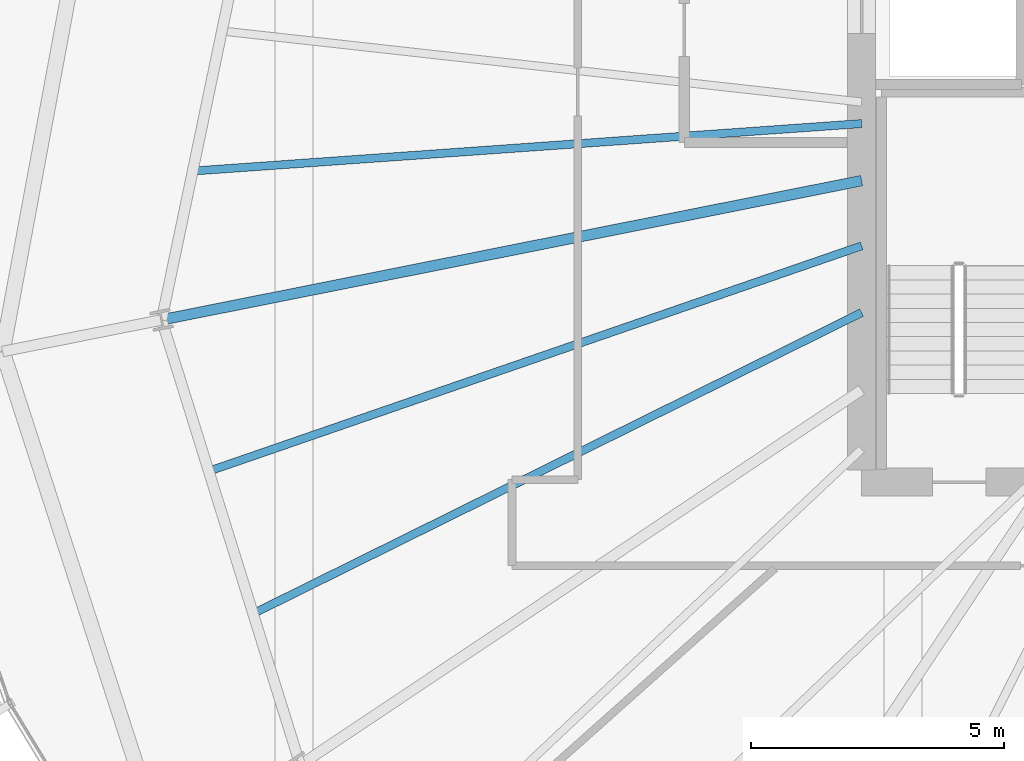
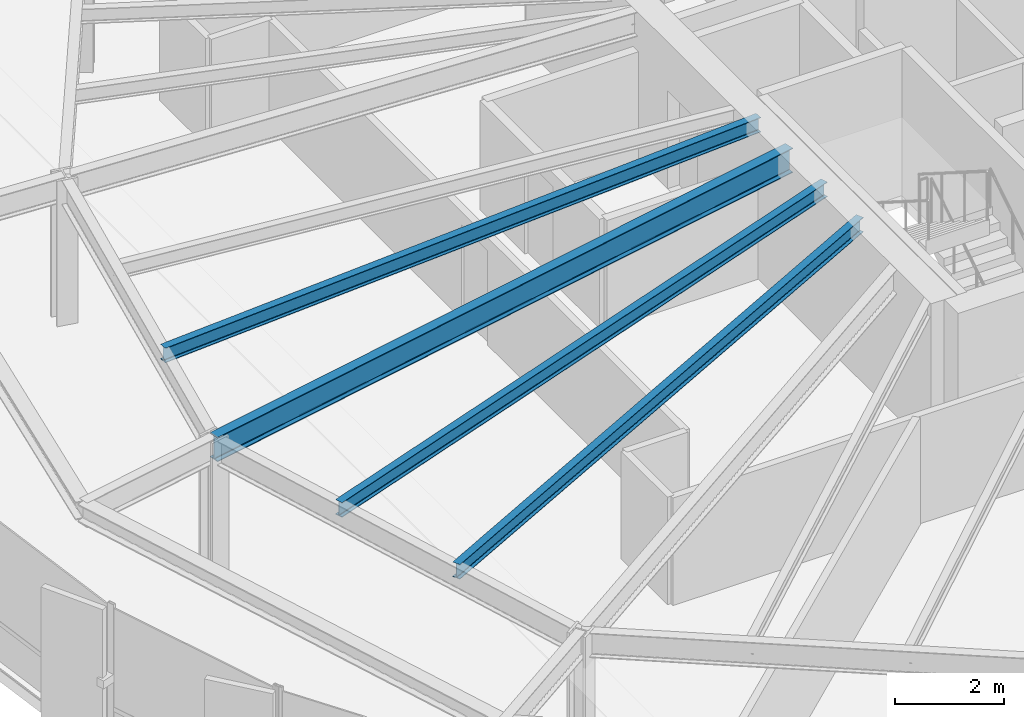
# One storey, part 9 of 35: 4 beams.
"""IFC4 building model written with IfcOpenShell, lengths in metres."""

from ifc_helpers import new_model, si_unit, direction, frame, origin, origin_2d, place, context, subcontext, project, spatial, i_section, extrude, source, transform, mapped, material, material_profile, profile_set, type_object, element, save


model = new_model("IFC4")

# Units and contexts
model_context = context("Model", 3, precision=1e-05, world=origin(), true_north=direction((0.0, 1.0)))
body_context = subcontext(model_context, "Body", "Model", "MODEL_VIEW")
ifc_project = project(units=[si_unit("LENGTHUNIT", "METRE"), si_unit("AREAUNIT", "SQUARE_METRE"), si_unit("VOLUMEUNIT", "CUBIC_METRE"), si_unit("PLANEANGLEUNIT", "RADIAN"), si_unit("MASSUNIT", "GRAM", prefix="KILO"), si_unit("THERMODYNAMICTEMPERATUREUNIT", "KELVIN")], contexts=[model_context])

# Site, building, storey
site_placement = place(None, origin())
site = spatial("IfcSite", under=ifc_project, at=site_placement, CompositionType="ELEMENT")
building_placement = place(site_placement, origin())
building = spatial("IfcBuilding", under=site, at=building_placement, Name="Kethvar Cultural Tower", CompositionType="ELEMENT")
storey_placement = place(building_placement, frame((0.0, 0.0, 135.89990234375)))
storey = spatial("IfcBuildingStorey", under=building, at=storey_placement, Name="L34", CompositionType="ELEMENT", Elevation=135.89990234375)

# Beams
ifc_material = material(Name="Steel S355J2", Category="steel")
ifc_material_profile_1 = material_profile(ifc_material, i_section(OverallWidth=0.2099609375, OverallDepth=0.550048828125, WebThickness=0.010986328125, FlangeThickness=0.01708984375, FilletRadius=0.02392578125, at=origin_2d()), Name="Steel S355J2 — IPE550")
ifc_profile_set_1 = profile_set([ifc_material_profile_1], Name="Steel S355J2 — IPE550")
beam_type_1 = type_object("IfcBeamType", Name="BM-IPE550", PredefinedType="BEAM", material=ifc_profile_set_1)
shared_shape_1 = source(origin(), body_context, "Body", "SweptSolid", [
    extrude(i_section(OverallWidth=0.2099609375, OverallDepth=0.550048828125, WebThickness=0.010986328125, FlangeThickness=0.01708984375, FilletRadius=0.02392578125, at=origin_2d()), origin(), (0.0, 0.0, 1.0), 14.085205078125),
])
beam_1_placement = place(storey_placement, frame((38.0, 26.049560546875, 3.023193359375), z_axis=(-0.98078679373, -0.195082713854, 0.0), x_axis=(0.195082713854, -0.98078679373, 0.0)))
element("IfcBeam", 1, at=beam_1_placement, inside=storey, type_object=beam_type_1, Name="L34 Primary Radial Beam RB-09", PredefinedType="BEAM", context=body_context, shape_type="MappedRepresentation", body=[
    mapped(shared_shape_1, transform((0.0, 0.0, 0.0), scale=1.0)),
])
ifc_material_profile_2 = material_profile(ifc_material, i_section(OverallWidth=0.159912109375, OverallDepth=0.330078125, WebThickness=0.007568359375, FlangeThickness=0.011474609375, FilletRadius=0.01806640625, at=origin_2d()), Name="Steel S355J2 — IPE330")
ifc_profile_set_2 = profile_set([ifc_material_profile_2], Name="Steel S355J2 — IPE330")
beam_type_2 = type_object("IfcBeamType", Name="BM-J330", PredefinedType="JOIST", material=ifc_profile_set_2)
shared_shape_2 = source(origin(), body_context, "Body", "SweptSolid", [
    extrude(i_section(OverallWidth=0.159912109375, OverallDepth=0.330078125, WebThickness=0.007568359375, FlangeThickness=0.011474609375, FilletRadius=0.01806640625, at=origin_2d()), origin(), (0.0, 0.0, 1.0), 13.234619140625),
])
beam_2_placement = place(storey_placement, frame((38.0, 27.175537109375, 3.133056640625), z_axis=(-0.997490530945, -0.070800004767, 0.0), x_axis=(0.070800004767, -0.997490530945, 0.0)))
element("IfcBeam", 2, at=beam_2_placement, inside=storey, type_object=beam_type_2, Name="L34 Composite Floor Joist J-08B", PredefinedType="JOIST", context=body_context, shape_type="MappedRepresentation", body=[
    mapped(shared_shape_2, transform((0.0, 0.0, 0.0), scale=1.0)),
])
shared_shape_3 = source(origin(), body_context, "Body", "SweptSolid", [
    extrude(i_section(OverallWidth=0.159912109375, OverallDepth=0.330078125, WebThickness=0.007568359375, FlangeThickness=0.011474609375, FilletRadius=0.01806640625, at=origin_2d()), origin(), (0.0, 0.0, 1.0), 13.630615234375),
])
beam_3_placement = place(storey_placement, frame((38.0, 24.762451171875, 3.133056640625), z_axis=(-0.945269577646, -0.326290400682, 0.0), x_axis=(0.326290400682, -0.945269577646, 0.0)))
element("IfcBeam", 3, at=beam_3_placement, inside=storey, type_object=beam_type_2, Name="L34 Composite Floor Joist J-09A", PredefinedType="JOIST", context=body_context, shape_type="MappedRepresentation", body=[
    mapped(shared_shape_3, transform((0.0, 0.0, 0.0), scale=1.0)),
])
shared_shape_4 = source(origin(), body_context, "Body", "SweptSolid", [
    extrude(i_section(OverallWidth=0.159912109375, OverallDepth=0.330078125, WebThickness=0.007568359375, FlangeThickness=0.011474609375, FilletRadius=0.01806640625, at=origin_2d()), origin(), (0.0, 0.0, 1.0), 13.39892578125),
])
beam_4_placement = place(storey_placement, frame((38.0, 23.44580078125, 3.133056640625), z_axis=(-0.896292467417, -0.44346342899, 0.0), x_axis=(0.44346342899, -0.896292467417, 0.0)))
element("IfcBeam", 4, at=beam_4_placement, inside=storey, type_object=beam_type_2, Name="L34 Composite Floor Joist J-09B", PredefinedType="JOIST", context=body_context, shape_type="MappedRepresentation", body=[
    mapped(shared_shape_4, transform((0.0, 0.0, 0.0), scale=1.0)),
])

save(model, "model.ifc")
